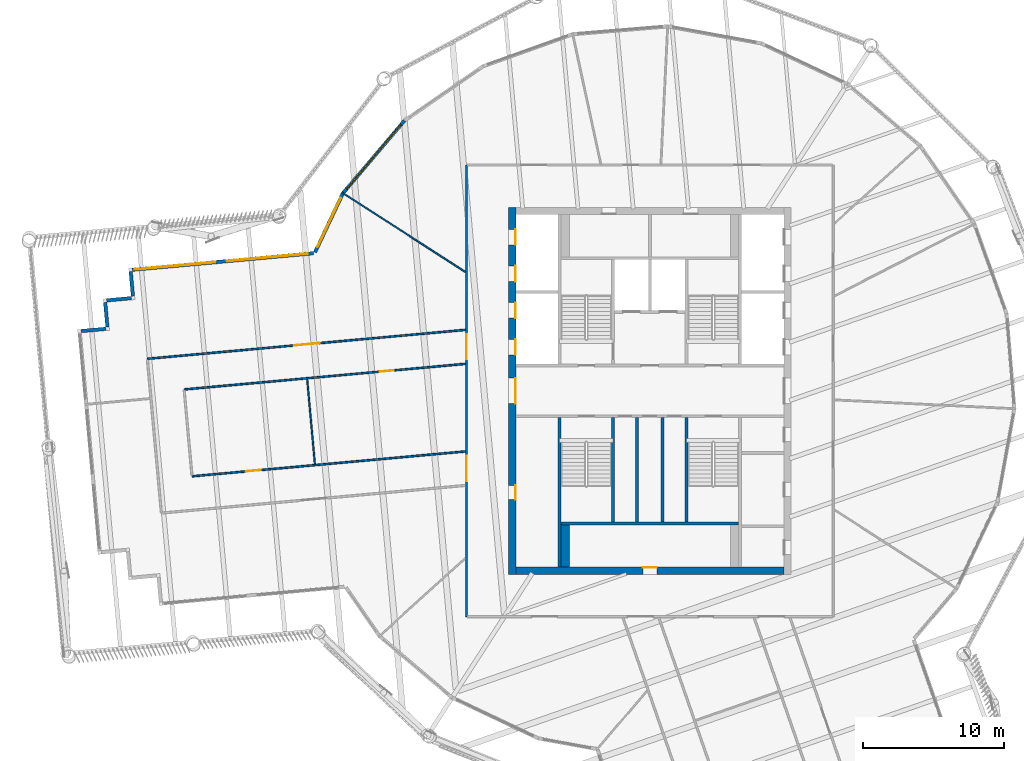
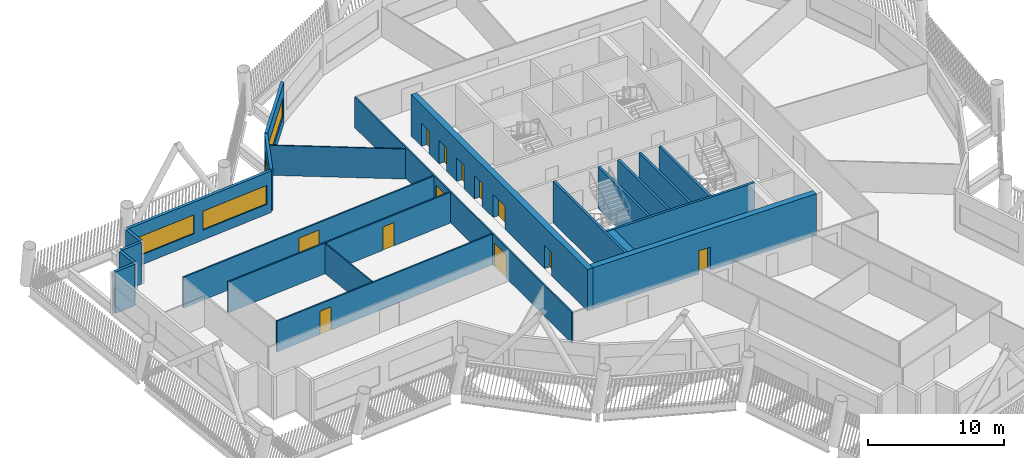
# One storey, part 4 of 23: 22 walls, 12 doors, 4 windows, 16 openings.
"""IFC4 building model written with IfcOpenShell, lengths in metres."""

from ifc_helpers import new_model, si_unit, direction, frame, frame_2d, origin, place, context, subcontext, project, spatial, rectangle, extrude, material, layer, layer_set, type_object, element, fill, save


model = new_model("IFC4")

# Units and contexts
model_context = context("Model", 3, precision=1e-05, world=origin(), true_north=direction((0.0, 1.0)))
body_context = subcontext(model_context, "Body", "Model", "MODEL_VIEW")
ifc_project = project(units=[si_unit("LENGTHUNIT", "METRE"), si_unit("AREAUNIT", "SQUARE_METRE"), si_unit("VOLUMEUNIT", "CUBIC_METRE"), si_unit("PLANEANGLEUNIT", "RADIAN"), si_unit("MASSUNIT", "GRAM", prefix="KILO")], contexts=[model_context])

# Site, building, storey
site_placement = place(None, origin())
site = spatial("IfcSite", under=ifc_project, at=site_placement, CompositionType="ELEMENT")
building_placement = place(site_placement, origin())
building = spatial("IfcBuilding", under=site, at=building_placement, Name="Tarsis Ring Headquarters", CompositionType="ELEMENT")
storey_placement = place(building_placement, frame((0.0, 0.0, 308.0)))
storey = spatial("IfcBuildingStorey", under=building, at=storey_placement, Name="L72", CompositionType="ELEMENT", Elevation=308.0)

# Walls
ifc_material_1 = material(Name="Blockwork", Category="masonry")
ifc_layer_1 = layer(ifc_material_1, 0.199951171875)
ifc_layer_set_1 = layer_set([ifc_layer_1], Name="Core blockwork wall 200")
wall_type_1 = type_object("IfcWallType", Name="Core blockwork wall 200", PredefinedType="PARTITIONING", material=ifc_layer_set_1)
for number, where, z_axis, x_axis, name in (
    (1, (-0.89990234375, -9.300048828125, 0.0), (0.0, 0.0, 1.0), (0.0, 1.0, 0.0), "Core partition SV1"),
    (2, (0.89990234375, -9.300048828125, 0.0), (0.0, 0.0, 1.0), (0.0, 1.0, 0.0), "Core partition SV2"),
):
    element("IfcWall", number, at=place(storey_placement, frame(where, z_axis=z_axis, x_axis=x_axis)), inside=storey, type_object=wall_type_1, Name=name, PredefinedType="PARTITIONING", context=body_context, shape_type="SweptSolid", body=[
        extrude(rectangle(XDim=7.400146484375, YDim=0.199951171875, at=frame_2d((3.7001953125, 0.0))), origin(), (0.0, 0.0, 1.0), 3.739990234375),
    ])

# Wall, openings, doors
ifc_material_2 = material(Name="Concrete C50/60", Category="concrete")
ifc_layer_2 = layer(ifc_material_2, 0.5)
ifc_layer_set_2 = layer_set([ifc_layer_2], Name="Core wall 500 C50/60")
wall_type_2 = type_object("IfcWallType", Name="Core wall 500 C50/60", PredefinedType="SHEAR", material=ifc_layer_set_2)
wall_1_placement = place(storey_placement, frame((-9.75, -13.0, 0.0), z_axis=(0.0, 0.0, 1.0), x_axis=(0.0, 1.0, 0.0)))
wall_1 = element("IfcWall", 3, at=wall_1_placement, inside=storey, type_object=wall_type_2, Name="Core wall OW", PredefinedType="SHEAR", context=body_context, shape_type="SweptSolid", body=[
    extrude(rectangle(XDim=26.0, YDim=0.5, at=frame_2d((13.0, 0.0))), origin(), (0.0, 0.0, 1.0), 3.739990234375),
])
opening_1_placement = place(wall_1_placement, frame((5.300048828125, 0.0, 0.0)))
opening_1 = element("IfcOpeningElement", 4, at=opening_1_placement, cuts=wall_1, Name="Opening L72-C01", PredefinedType="OPENING", context=body_context, shape_type="SweptSolid", body=[
    extrude(rectangle(XDim=1.0, YDim=2.10009765625, at=frame_2d((0.5, 1.050048828125))), frame((0.0, 0.260009765625, 0.0), z_axis=(0.0, -1.0, 0.0), x_axis=(1.0, 0.0, 0.0)), (0.0, 0.0, 1.0), 0.52001953125),
])
opening_2_placement = place(wall_1_placement, frame((12.10009765625, 0.0, 0.0)))
opening_2 = element("IfcOpeningElement", 5, at=opening_2_placement, cuts=wall_1, Name="Opening L72-C02", PredefinedType="OPENING", context=body_context, shape_type="SweptSolid", body=[
    extrude(rectangle(XDim=1.800048828125, YDim=2.10009765625, at=frame_2d((0.89990234375, 1.050048828125))), frame((0.0, 0.260009765625, 0.0), z_axis=(0.0, -1.0, 0.0), x_axis=(1.0, 0.0, 0.0)), (0.0, 0.0, 1.0), 0.52001953125),
])
opening_3_placement = place(wall_1_placement, frame((15.550048828125, 0.0, 0.0)))
opening_3 = element("IfcOpeningElement", 6, at=opening_3_placement, cuts=wall_1, Name="Opening LD-HR1", PredefinedType="OPENING", context=body_context, shape_type="SweptSolid", body=[
    extrude(rectangle(XDim=1.10009765625, YDim=2.10009765625, at=frame_2d((0.550048828125, 1.050048828125))), frame((0.0, 0.260009765625, 0.0), z_axis=(0.0, -1.0, 0.0), x_axis=(1.0, 0.0, 0.0)), (0.0, 0.0, 1.0), 0.52001953125),
])
opening_4_placement = place(wall_1_placement, frame((18.14990234375, 0.0, 0.0)))
opening_4 = element("IfcOpeningElement", 7, at=opening_4_placement, cuts=wall_1, Name="Opening LD-HR2", PredefinedType="OPENING", context=body_context, shape_type="SweptSolid", body=[
    extrude(rectangle(XDim=1.10009765625, YDim=2.10009765625, at=frame_2d((0.550048828125, 1.050048828125))), frame((0.0, 0.260009765625, 0.0), z_axis=(0.0, -1.0, 0.0), x_axis=(1.0, 0.0, 0.0)), (0.0, 0.0, 1.0), 0.52001953125),
])
opening_5_placement = place(wall_1_placement, frame((20.75, 0.0, 0.0)))
opening_5 = element("IfcOpeningElement", 8, at=opening_5_placement, cuts=wall_1, Name="Opening LD-HR3", PredefinedType="OPENING", context=body_context, shape_type="SweptSolid", body=[
    extrude(rectangle(XDim=1.10009765625, YDim=2.10009765625, at=frame_2d((0.550048828125, 1.050048828125))), frame((0.0, 0.260009765625, 0.0), z_axis=(0.0, -1.0, 0.0), x_axis=(1.0, 0.0, 0.0)), (0.0, 0.0, 1.0), 0.52001953125),
])
opening_6_placement = place(wall_1_placement, frame((23.35009765625, 0.0, 0.0)))
opening_6 = element("IfcOpeningElement", 9, at=opening_6_placement, cuts=wall_1, Name="Opening LD-HR4", PredefinedType="OPENING", context=body_context, shape_type="SweptSolid", body=[
    extrude(rectangle(XDim=1.10009765625, YDim=2.10009765625, at=frame_2d((0.550048828125, 1.050048828125))), frame((0.0, 0.260009765625, 0.0), z_axis=(0.0, -1.0, 0.0), x_axis=(1.0, 0.0, 0.0)), (0.0, 0.0, 1.0), 0.52001953125),
])
ifc_material_3 = material(Name="Steel S355", Category="steel")
door_type_1 = type_object("IfcDoorType", Name="Core entry door 1800x2100", OperationType="DOUBLE_DOOR_SINGLE_SWING", PredefinedType="DOOR", material=ifc_material_3)
door_1_placement = place(opening_2_placement, origin())
door_1 = element("IfcDoor", 10, at=door_1_placement, inside=storey, type_object=door_type_1, Name="Core entry door L72", OperationType="DOUBLE_DOOR_SINGLE_SWING", OverallHeight=2.10009765625, OverallWidth=1.800048828125, PredefinedType="DOOR", context=body_context, shape_type="SweptSolid", body=[
    extrude(rectangle(XDim=1.800048828125, YDim=2.10009765625, at=frame_2d((0.89990234375, 1.050048828125))), frame((0.0, -0.2001953125, 0.0), z_axis=(0.0, -1.0, 0.0), x_axis=(1.0, 0.0, 0.0)), (0.0, 0.0, 1.0), 0.050048828125),
])
fill(opening_2, door_1)
door_type_2 = type_object("IfcDoorType", Name="Core room door 1000x2100", OperationType="SINGLE_SWING_LEFT", PredefinedType="DOOR", material=ifc_material_3)
door_2_placement = place(opening_1_placement, origin())
door_2 = element("IfcDoor", 11, at=door_2_placement, inside=storey, type_object=door_type_2, Name="Core room door L72", OperationType="SINGLE_SWING_LEFT", OverallHeight=2.10009765625, OverallWidth=1.0, PredefinedType="DOOR", context=body_context, shape_type="SweptSolid", body=[
    extrude(rectangle(XDim=1.0, YDim=2.10009765625, at=frame_2d((0.5, 1.050048828125))), frame((0.0, -0.2001953125, 0.0), z_axis=(0.0, -1.0, 0.0), x_axis=(1.0, 0.0, 0.0)), (0.0, 0.0, 1.0), 0.050048828125),
])
fill(opening_1, door_2)
door_type_3 = type_object("IfcDoorType", Name="Landing door 1100x2100", OperationType="SLIDING_TO_LEFT", PredefinedType="DOOR", material=ifc_material_3)
door_3_placement = place(opening_3_placement, origin())
door_3 = element("IfcDoor", 12, at=door_3_placement, inside=storey, type_object=door_type_3, Name="Landing door HR1 L72", OperationType="SLIDING_TO_LEFT", OverallHeight=2.10009765625, OverallWidth=1.10009765625, PredefinedType="DOOR", context=body_context, shape_type="SweptSolid", body=[
    extrude(rectangle(XDim=1.10009765625, YDim=2.10009765625, at=frame_2d((0.550048828125, 1.050048828125))), frame((0.0, -0.2001953125, 0.0), z_axis=(0.0, -1.0, 0.0), x_axis=(1.0, 0.0, 0.0)), (0.0, 0.0, 1.0), 0.050048828125),
])
fill(opening_3, door_3)
door_4_placement = place(opening_4_placement, origin())
door_4 = element("IfcDoor", 13, at=door_4_placement, inside=storey, type_object=door_type_3, Name="Landing door HR2 L72", OperationType="SLIDING_TO_LEFT", OverallHeight=2.10009765625, OverallWidth=1.10009765625, PredefinedType="DOOR", context=body_context, shape_type="SweptSolid", body=[
    extrude(rectangle(XDim=1.10009765625, YDim=2.10009765625, at=frame_2d((0.550048828125, 1.050048828125))), frame((0.0, -0.2001953125, 0.0), z_axis=(0.0, -1.0, 0.0), x_axis=(1.0, 0.0, 0.0)), (0.0, 0.0, 1.0), 0.050048828125),
])
fill(opening_4, door_4)
door_5_placement = place(opening_5_placement, origin())
door_5 = element("IfcDoor", 14, at=door_5_placement, inside=storey, type_object=door_type_3, Name="Landing door HR3 L72", OperationType="SLIDING_TO_LEFT", OverallHeight=2.10009765625, OverallWidth=1.10009765625, PredefinedType="DOOR", context=body_context, shape_type="SweptSolid", body=[
    extrude(rectangle(XDim=1.10009765625, YDim=2.10009765625, at=frame_2d((0.550048828125, 1.050048828125))), frame((0.0, -0.2001953125, 0.0), z_axis=(0.0, -1.0, 0.0), x_axis=(1.0, 0.0, 0.0)), (0.0, 0.0, 1.0), 0.050048828125),
])
fill(opening_5, door_5)
door_6_placement = place(opening_6_placement, origin())
door_6 = element("IfcDoor", 15, at=door_6_placement, inside=storey, type_object=door_type_3, Name="Landing door HR4 L72", OperationType="SLIDING_TO_LEFT", OverallHeight=2.10009765625, OverallWidth=1.10009765625, PredefinedType="DOOR", context=body_context, shape_type="SweptSolid", body=[
    extrude(rectangle(XDim=1.10009765625, YDim=2.10009765625, at=frame_2d((0.550048828125, 1.050048828125))), frame((0.0, -0.2001953125, 0.0), z_axis=(0.0, -1.0, 0.0), x_axis=(1.0, 0.0, 0.0)), (0.0, 0.0, 1.0), 0.050048828125),
])
fill(opening_6, door_6)

# Wall, opening, door
wall_2_placement = place(storey_placement, frame((-9.5, -12.75, 0.0), z_axis=(0.0, 0.0, 1.0), x_axis=(1.0, 0.0, 0.0)))
wall_2 = element("IfcWall", 16, at=wall_2_placement, inside=storey, type_object=wall_type_2, Name="Core wall OS", PredefinedType="SHEAR", context=body_context, shape_type="SweptSolid", body=[
    extrude(rectangle(XDim=19.0, YDim=0.5, at=frame_2d((9.5, 0.0))), origin(), (0.0, 0.0, 1.0), 3.739990234375),
])
opening_7_placement = place(wall_2_placement, frame((9.0, 0.0, 0.0)))
opening_7 = element("IfcOpeningElement", 17, at=opening_7_placement, cuts=wall_2, Name="Opening L72-C17", PredefinedType="OPENING", context=body_context, shape_type="SweptSolid", body=[
    extrude(rectangle(XDim=1.0, YDim=2.10009765625, at=frame_2d((0.5, 1.050048828125))), frame((0.0, 0.260009765625, 0.0), z_axis=(0.0, -1.0, 0.0), x_axis=(1.0, 0.0, 0.0)), (0.0, 0.0, 1.0), 0.52001953125),
])
door_7_placement = place(opening_7_placement, origin())
door_7 = element("IfcDoor", 18, at=door_7_placement, inside=storey, type_object=door_type_2, Name="Core room door L72", OperationType="SINGLE_SWING_LEFT", OverallHeight=2.10009765625, OverallWidth=1.0, PredefinedType="DOOR", context=body_context, shape_type="SweptSolid", body=[
    extrude(rectangle(XDim=1.0, YDim=2.10009765625, at=frame_2d((0.5, 1.050048828125))), frame((0.0, 0.25, 0.0), z_axis=(0.0, -1.0, 0.0), x_axis=(1.0, 0.0, 0.0)), (0.0, 0.0, 1.0), 0.050048828125),
])
fill(opening_7, door_7)

# Walls
ifc_material_4 = material(Name="Gypsum board on steel studs", Category="steel")
ifc_layer_3 = layer(ifc_material_4, 0.10009765625)
ifc_layer_set_3 = layer_set([ifc_layer_3], Name="FL partition 100 unrated")
wall_type_3 = type_object("IfcWallType", Name="FL partition 100 unrated", PredefinedType="PARTITIONING", material=ifc_layer_set_3)
wall_3_placement = place(storey_placement, frame((-21.810791015625, 14.05615234375, 0.0), z_axis=(0.0, 0.0, 1.0), x_axis=(0.84056746588, -0.541706872122, 0.0)))
element("IfcWall", 19, at=wall_3_placement, inside=storey, type_object=wall_type_3, Name="Partition PW3", PredefinedType="PARTITIONING", context=body_context, shape_type="SweptSolid", body=[
    extrude(rectangle(XDim=10.382080078125, YDim=0.10009765625, at=frame_2d((5.19091796875, 0.0))), origin(), (0.0, 0.0, 1.0), 2.699951171875),
])
wall_4_placement = place(storey_placement, frame((-24.284423828125, 0.822509765625, 0.0), z_axis=(0.0, 0.0, 1.0), x_axis=(0.090623213441, -0.995885251013, 0.0)))
element("IfcWall", 20, at=wall_4_placement, inside=storey, type_object=wall_type_3, Name="Partition PW3", PredefinedType="PARTITIONING", context=body_context, shape_type="SweptSolid", body=[
    extrude(rectangle(XDim=6.0400390625, YDim=0.10009765625, at=frame_2d((3.02001953125, 0.0))), origin(), (0.0, 0.0, 1.0), 2.699951171875),
])

# Wall, openings, doors
ifc_layer_4 = layer(ifc_material_4, 0.125)
ifc_layer_set_4 = layer_set([ifc_layer_4], Name="FL partition 125 EI 60 H2770")
wall_type_4 = type_object("IfcWallType", Name="FL partition 125 EI 60 H2770", PredefinedType="PARTITIONING", material=ifc_layer_set_4)
wall_5_placement = place(storey_placement, frame((-13.0, -16.0, 0.0), z_axis=(0.0, 0.0, 1.0), x_axis=(0.0, 1.0, 0.0)))
wall_5 = element("IfcWall", 21, at=wall_5_placement, inside=storey, type_object=wall_type_4, Name="Partition PW1", PredefinedType="PARTITIONING", context=body_context, shape_type="SweptSolid", body=[
    extrude(rectangle(XDim=32.0, YDim=0.125, at=frame_2d((16.0, 0.0))), origin(), (0.0, 0.0, 1.0), 2.77001953125),
])
opening_8_placement = place(wall_5_placement, frame((9.609130859375, 0.0, 0.0)))
opening_8 = element("IfcOpeningElement", 22, at=opening_8_placement, cuts=wall_5, Name="Opening D72.17", PredefinedType="OPENING", context=body_context, shape_type="SweptSolid", body=[
    extrude(rectangle(XDim=1.800048828125, YDim=2.10009765625, at=frame_2d((0.89990234375, 1.050048828125))), frame((0.0, 0.072509765625, 0.0), z_axis=(0.0, -1.0, 0.0), x_axis=(1.0, 0.0, 0.0)), (0.0, 0.0, 1.0), 0.14501953125),
])
opening_9_placement = place(wall_5_placement, frame((18.224609375, 0.0, 0.0)))
opening_9 = element("IfcOpeningElement", 23, at=opening_9_placement, cuts=wall_5, Name="Opening D72.18", PredefinedType="OPENING", context=body_context, shape_type="SweptSolid", body=[
    extrude(rectangle(XDim=1.800048828125, YDim=2.10009765625, at=frame_2d((0.89990234375, 1.050048828125))), frame((0.0, 0.072509765625, 0.0), z_axis=(0.0, -1.0, 0.0), x_axis=(1.0, 0.0, 0.0)), (0.0, 0.0, 1.0), 0.14501953125),
])
ifc_material_5 = material(Name="Fire-rated timber door leaf in steel frame", Category="steel")
door_type_4 = type_object("IfcDoorType", Name="FL door FD60-1800", OperationType="DOUBLE_DOOR_SINGLE_SWING", PredefinedType="DOOR", material=ifc_material_5)
door_8_placement = place(opening_8_placement, origin())
door_8 = element("IfcDoor", 24, at=door_8_placement, inside=storey, type_object=door_type_4, Name="Door D72.17", OperationType="DOUBLE_DOOR_SINGLE_SWING", OverallHeight=2.10009765625, OverallWidth=1.800048828125, PredefinedType="DOOR", context=body_context, shape_type="SweptSolid", body=[
    extrude(rectangle(XDim=1.800048828125, YDim=2.10009765625, at=frame_2d((0.89990234375, 1.050048828125))), frame((0.0, 0.02490234375, 0.0), z_axis=(0.0, -1.0, 0.0), x_axis=(1.0, 0.0, 0.0)), (0.0, 0.0, 1.0), 0.050048828125),
])
fill(opening_8, door_8)
door_9_placement = place(opening_9_placement, origin())
door_9 = element("IfcDoor", 25, at=door_9_placement, inside=storey, type_object=door_type_4, Name="Door D72.18", OperationType="DOUBLE_DOOR_SINGLE_SWING", OverallHeight=2.10009765625, OverallWidth=1.800048828125, PredefinedType="DOOR", context=body_context, shape_type="SweptSolid", body=[
    extrude(rectangle(XDim=1.800048828125, YDim=2.10009765625, at=frame_2d((0.89990234375, 1.050048828125))), frame((0.0, 0.02490234375, 0.0), z_axis=(0.0, -1.0, 0.0), x_axis=(1.0, 0.0, 0.0)), (0.0, 0.0, 1.0), 0.050048828125),
])
fill(opening_9, door_9)

# Wall, opening, door
wall_6_placement = place(storey_placement, frame((-35.612548828125, 2.271728515625, 0.0), z_axis=(0.0, 0.0, 1.0), x_axis=(0.99588462669, 0.090630074056, 0.0)))
wall_6 = element("IfcWall", 26, at=wall_6_placement, inside=storey, type_object=wall_type_4, Name="Partition PW1", PredefinedType="PARTITIONING", context=body_context, shape_type="SweptSolid", body=[
    extrude(rectangle(XDim=22.63623046875, YDim=0.125, at=frame_2d((11.318115234375, 0.0))), origin(), (0.0, 0.0, 1.0), 2.77001953125),
])
opening_10_placement = place(wall_6_placement, frame((10.452880859375, 0.0, 0.0)))
opening_10 = element("IfcOpeningElement", 27, at=opening_10_placement, cuts=wall_6, Name="Opening D72.02", PredefinedType="OPENING", context=body_context, shape_type="SweptSolid", body=[
    extrude(rectangle(XDim=1.800048828125, YDim=2.10009765625, at=frame_2d((0.89990234375, 1.050048828125))), frame((0.0, 0.072509765625, 0.0), z_axis=(0.0, -1.0, 0.0), x_axis=(1.0, 0.0, 0.0)), (0.0, 0.0, 1.0), 0.14501953125),
])
door_10_placement = place(opening_10_placement, origin())
door_10 = element("IfcDoor", 28, at=door_10_placement, inside=storey, type_object=door_type_4, Name="Door D72.02", OperationType="DOUBLE_DOOR_SINGLE_SWING", OverallHeight=2.10009765625, OverallWidth=1.800048828125, PredefinedType="DOOR", context=body_context, shape_type="SweptSolid", body=[
    extrude(rectangle(XDim=1.800048828125, YDim=2.10009765625, at=frame_2d((0.89990234375, 1.050048828125))), frame((0.0, 0.02490234375, 0.0), z_axis=(0.0, -1.0, 0.0), x_axis=(1.0, 0.0, 0.0)), (0.0, 0.0, 1.0), 0.050048828125),
])
fill(opening_10, door_10)

wall_7_placement = place(storey_placement, frame((-33.0048828125, 0.09912109375, 0.0), z_axis=(0.0, 0.0, 1.0), x_axis=(0.995884604623, 0.090630316538, 0.0)))
wall_7 = element("IfcWall", 29, at=wall_7_placement, inside=storey, type_object=wall_type_4, Name="Partition PW1", PredefinedType="PARTITIONING", context=body_context, shape_type="SweptSolid", body=[
    extrude(rectangle(XDim=20.017578125, YDim=0.125, at=frame_2d((10.0087890625, 0.0))), origin(), (0.0, 0.0, 1.0), 2.77001953125),
])
opening_11_placement = place(wall_7_placement, frame((13.91943359375, 0.0, 0.0)))
opening_11 = element("IfcOpeningElement", 30, at=opening_11_placement, cuts=wall_7, Name="Opening D72.12", PredefinedType="OPENING", context=body_context, shape_type="SweptSolid", body=[
    extrude(rectangle(XDim=1.0, YDim=2.10009765625, at=frame_2d((0.5, 1.050048828125))), frame((0.0, 0.072509765625, 0.0), z_axis=(0.0, -1.0, 0.0), x_axis=(1.0, 0.0, 0.0)), (0.0, 0.0, 1.0), 0.14501953125),
])
door_type_5 = type_object("IfcDoorType", Name="FL door FD60-1000", OperationType="NOTDEFINED", PredefinedType="DOOR", material=ifc_material_5)
door_11_placement = place(opening_11_placement, origin())
door_11 = element("IfcDoor", 31, at=door_11_placement, inside=storey, type_object=door_type_5, Name="Door D72.12", OperationType="SINGLE_SWING_RIGHT", OverallHeight=2.10009765625, OverallWidth=1.0, PredefinedType="DOOR", context=body_context, shape_type="SweptSolid", body=[
    extrude(rectangle(XDim=1.0, YDim=2.10009765625, at=frame_2d((0.5, 1.050048828125))), frame((0.0, 0.02490234375, 0.0), z_axis=(0.0, -1.0, 0.0), x_axis=(1.0, 0.0, 0.0)), (0.0, 0.0, 1.0), 0.050048828125),
])
fill(opening_11, door_11)

wall_8_placement = place(storey_placement, frame((-32.444580078125, -6.055419921875, 0.0), z_axis=(0.0, 0.0, 1.0), x_axis=(0.995884767605, 0.0906285256, 0.0)))
wall_8 = element("IfcWall", 32, at=wall_8_placement, inside=storey, type_object=wall_type_4, Name="Partition PW1", PredefinedType="PARTITIONING", context=body_context, shape_type="SweptSolid", body=[
    extrude(rectangle(XDim=19.455078125, YDim=0.125, at=frame_2d((9.7275390625, 0.0))), origin(), (0.0, 0.0, 1.0), 2.77001953125),
])
opening_12_placement = place(wall_8_placement, frame((3.875732421875, 0.0, 0.0)))
opening_12 = element("IfcOpeningElement", 33, at=opening_12_placement, cuts=wall_8, Name="Opening D72.13", PredefinedType="OPENING", context=body_context, shape_type="SweptSolid", body=[
    extrude(rectangle(XDim=1.0, YDim=2.10009765625, at=frame_2d((0.5, 1.050048828125))), frame((0.0, 0.072509765625, 0.0), z_axis=(0.0, -1.0, 0.0), x_axis=(1.0, 0.0, 0.0)), (0.0, 0.0, 1.0), 0.14501953125),
])
door_12_placement = place(opening_12_placement, origin())
door_12 = element("IfcDoor", 34, at=door_12_placement, inside=storey, type_object=door_type_5, Name="Door D72.13", OperationType="SINGLE_SWING_LEFT", OverallHeight=2.10009765625, OverallWidth=1.0, PredefinedType="DOOR", context=body_context, shape_type="SweptSolid", body=[
    extrude(rectangle(XDim=1.0, YDim=2.10009765625, at=frame_2d((0.5, 1.050048828125))), frame((0.0, 0.02490234375, 0.0), z_axis=(0.0, -1.0, 0.0), x_axis=(1.0, 0.0, 0.0)), (0.0, 0.0, 1.0), 0.050048828125),
])
fill(opening_12, door_12)

# Wall, opening, window
ifc_material_6 = material(Name="Terracotta clad insulated panel wall", Category="masonry")
ifc_layer_5 = layer(ifc_material_6, 0.25)
ifc_layer_set_5 = layer_set([ifc_layer_5], Name="Facade wall terracotta panel 250")
wall_type_5 = type_object("IfcWallType", Name="Facade wall terracotta panel 250", PredefinedType="STANDARD", material=ifc_layer_set_5)
wall_9_placement = place(storey_placement, frame((-17.390625, 19.155029296875, 0.0), z_axis=(0.0, 0.0, 1.0), x_axis=(-0.646777124285, -0.762679061927, 0.0)))
wall_9 = element("IfcWall", 35, at=wall_9_placement, inside=storey, type_object=wall_type_5, Name="External wall L72-29", PredefinedType="STANDARD", context=body_context, shape_type="SweptSolid", body=[
    extrude(rectangle(XDim=6.7216796875, YDim=0.25, at=frame_2d((3.36083984375, 0.0))), origin(), (0.0, 0.0, 1.0), 3.739990234375),
])
opening_13_placement = place(wall_9_placement, frame((0.3857421875, 0.0, 0.89990234375)))
opening_13 = element("IfcOpeningElement", 36, at=opening_13_placement, cuts=wall_9, Name="Opening WN07", PredefinedType="OPENING", context=body_context, shape_type="SweptSolid", body=[
    extrude(rectangle(XDim=5.949951171875, YDim=1.699951171875, at=frame_2d((2.97509765625, 0.85009765625))), frame((0.0, 0.135009765625, 0.0), z_axis=(0.0, -1.0, 0.0), x_axis=(1.0, 0.0, 0.0)), (0.0, 0.0, 1.0), 0.27001953125),
])
ifc_material_7 = material(Name="Aluminium framed double glazing", Category="aluminium")
window_type_1 = type_object("IfcWindowType", Name="Facade window 5950 x 1700", PartitioningType="SINGLE_PANEL", PredefinedType="WINDOW", material=ifc_material_7)
window_1_placement = place(opening_13_placement, origin())
window_1 = element("IfcWindow", 37, at=window_1_placement, inside=storey, type_object=window_type_1, Name="Window L72-29.1", OverallHeight=1.699951171875, OverallWidth=5.949951171875, PartitioningType="SINGLE_PANEL", PredefinedType="WINDOW", context=body_context, shape_type="SweptSolid", body=[
    extrude(rectangle(XDim=5.949951171875, YDim=1.699951171875, at=frame_2d((2.97509765625, 0.85009765625))), frame((0.0, 0.030029296875, 0.0), z_axis=(0.0, -1.0, 0.0), x_axis=(1.0, 0.0, 0.0)), (0.0, 0.0, 1.0), 0.06005859375),
])
fill(opening_13, window_1)

wall_10_placement = place(storey_placement, frame((-21.755859375, 14.001220703125, 0.0), z_axis=(0.0, 0.0, 1.0), x_axis=(-0.427352117187, -0.904085265855, 0.0)))
wall_10 = element("IfcWall", 38, at=wall_10_placement, inside=storey, type_object=wall_type_5, Name="External wall L72-30", PredefinedType="STANDARD", context=body_context, shape_type="SweptSolid", body=[
    extrude(rectangle(XDim=4.61767578125, YDim=0.25, at=frame_2d((2.308837890625, 0.0))), origin(), (0.0, 0.0, 1.0), 3.739990234375),
])
opening_14_placement = place(wall_10_placement, frame((0.367431640625, 0.0, 0.89990234375)))
opening_14 = element("IfcOpeningElement", 39, at=opening_14_placement, cuts=wall_10, Name="Opening WN02", PredefinedType="OPENING", context=body_context, shape_type="SweptSolid", body=[
    extrude(rectangle(XDim=3.85009765625, YDim=1.699951171875, at=frame_2d((1.925048828125, 0.85009765625))), frame((0.0, 0.135009765625, 0.0), z_axis=(0.0, -1.0, 0.0), x_axis=(1.0, 0.0, 0.0)), (0.0, 0.0, 1.0), 0.27001953125),
])
window_type_2 = type_object("IfcWindowType", Name="Facade window 3850 x 1700", PartitioningType="SINGLE_PANEL", PredefinedType="WINDOW", material=ifc_material_7)
window_2_placement = place(opening_14_placement, origin())
window_2 = element("IfcWindow", 40, at=window_2_placement, inside=storey, type_object=window_type_2, Name="Window L72-30.1", OverallHeight=1.699951171875, OverallWidth=3.85009765625, PartitioningType="SINGLE_PANEL", PredefinedType="WINDOW", context=body_context, shape_type="SweptSolid", body=[
    extrude(rectangle(XDim=3.85009765625, YDim=1.699951171875, at=frame_2d((1.925048828125, 0.85009765625))), frame((0.0, 0.030029296875, 0.0), z_axis=(0.0, -1.0, 0.0), x_axis=(1.0, 0.0, 0.0)), (0.0, 0.0, 1.0), 0.06005859375),
])
fill(opening_14, window_2)

# Wall, openings, windows
wall_11_placement = place(storey_placement, frame((-23.830810546875, 9.75537109375, 0.0), z_axis=(0.0, 0.0, 1.0), x_axis=(-0.995883428731, -0.09064323681, 0.0)))
wall_11 = element("IfcWall", 41, at=wall_11_placement, inside=storey, type_object=wall_type_5, Name="External wall L72-31", PredefinedType="STANDARD", context=body_context, shape_type="SweptSolid", body=[
    extrude(rectangle(XDim=12.901611328125, YDim=0.25, at=frame_2d((6.45068359375, 0.0))), origin(), (0.0, 0.0, 1.0), 3.739990234375),
])
opening_15_placement = place(wall_11_placement, frame((0.412841796875, 0.0, 0.89990234375)))
opening_15 = element("IfcOpeningElement", 42, at=opening_15_placement, cuts=wall_11, Name="Opening WN06", PredefinedType="OPENING", context=body_context, shape_type="SweptSolid", body=[
    extrude(rectangle(XDim=5.75, YDim=1.699951171875, at=frame_2d((2.875, 0.85009765625))), frame((0.0, 0.135009765625, 0.0), z_axis=(0.0, -1.0, 0.0), x_axis=(1.0, 0.0, 0.0)), (0.0, 0.0, 1.0), 0.27001953125),
])
opening_16_placement = place(wall_11_placement, frame((6.988525390625, 0.0, 0.89990234375)))
opening_16 = element("IfcOpeningElement", 43, at=opening_16_placement, cuts=wall_11, Name="Opening WN06", PredefinedType="OPENING", context=body_context, shape_type="SweptSolid", body=[
    extrude(rectangle(XDim=5.75, YDim=1.699951171875, at=frame_2d((2.875, 0.85009765625))), frame((0.0, 0.135009765625, 0.0), z_axis=(0.0, -1.0, 0.0), x_axis=(1.0, 0.0, 0.0)), (0.0, 0.0, 1.0), 0.27001953125),
])
window_type_3 = type_object("IfcWindowType", Name="Facade window 5750 x 1700", PartitioningType="SINGLE_PANEL", PredefinedType="WINDOW", material=ifc_material_7)
window_3_placement = place(opening_15_placement, origin())
window_3 = element("IfcWindow", 44, at=window_3_placement, inside=storey, type_object=window_type_3, Name="Window L72-31.1", OverallHeight=1.699951171875, OverallWidth=5.75, PartitioningType="SINGLE_PANEL", PredefinedType="WINDOW", context=body_context, shape_type="SweptSolid", body=[
    extrude(rectangle(XDim=5.75, YDim=1.699951171875, at=frame_2d((2.875, 0.85009765625))), frame((0.0, 0.030029296875, 0.0), z_axis=(0.0, -1.0, 0.0), x_axis=(1.0, 0.0, 0.0)), (0.0, 0.0, 1.0), 0.06005859375),
])
fill(opening_15, window_3)
window_4_placement = place(opening_16_placement, origin())
window_4 = element("IfcWindow", 45, at=window_4_placement, inside=storey, type_object=window_type_3, Name="Window L72-31.2", OverallHeight=1.699951171875, OverallWidth=5.75, PartitioningType="SINGLE_PANEL", PredefinedType="WINDOW", context=body_context, shape_type="SweptSolid", body=[
    extrude(rectangle(XDim=5.75, YDim=1.699951171875, at=frame_2d((2.875, 0.85009765625))), frame((0.0, 0.030029296875, 0.0), z_axis=(0.0, -1.0, 0.0), x_axis=(1.0, 0.0, 0.0)), (0.0, 0.0, 1.0), 0.06005859375),
])
fill(opening_16, window_4)

# Walls
wall_12_placement = place(storey_placement, frame((-36.792236328125, 8.4501953125, 0.0), z_axis=(0.0, 0.0, 1.0), x_axis=(0.090548325686, -0.995892062784, 0.0)))
element("IfcWall", 46, at=wall_12_placement, inside=storey, type_object=wall_type_5, Name="External wall L72-32", PredefinedType="STANDARD", context=body_context, shape_type="SweptSolid", body=[
    extrude(rectangle(XDim=1.749755859375, YDim=0.25, at=frame_2d((0.875, 0.0))), origin(), (0.0, 0.0, 1.0), 3.739990234375),
])
for number, where, z_axis, x_axis, name in (
    (47, (-36.746826171875, 6.571533203125, 0.0), (0.0, 0.0, 1.0), (-0.995893206468, -0.090535746043, 0.0), "External wall L72-33"),
    (48, (-38.602783203125, 6.277099609375, 0.0), (0.0, 0.0, 1.0), (0.090686698902, -0.995879471945, 0.0), "External wall L72-34"),
):
    element("IfcWall", number, at=place(storey_placement, frame(where, z_axis=z_axis, x_axis=x_axis)), inside=storey, type_object=wall_type_5, Name=name, PredefinedType="STANDARD", context=body_context, shape_type="SweptSolid", body=[
        extrude(rectangle(XDim=1.75, YDim=0.25, at=frame_2d((0.875, 0.0))), origin(), (0.0, 0.0, 1.0), 3.739990234375),
    ])
wall_13_placement = place(storey_placement, frame((-38.557373046875, 4.3984375, 0.0), z_axis=(0.0, 0.0, 1.0), x_axis=(-0.995892062784, -0.090548325686, 0.0)))
element("IfcWall", 49, at=wall_13_placement, inside=storey, type_object=wall_type_5, Name="External wall L72-35", PredefinedType="STANDARD", context=body_context, shape_type="SweptSolid", body=[
    extrude(rectangle(XDim=1.749755859375, YDim=0.25, at=frame_2d((0.875, 0.0))), origin(), (0.0, 0.0, 1.0), 3.739990234375),
])
ifc_material_8 = material(Name="Concrete C32/40", Category="concrete")
ifc_layer_6 = layer(ifc_material_8, 0.60009765625)
ifc_layer_set_6 = layer_set([ifc_layer_6], Name="Shaft end wall 600 C32/40")
wall_type_6 = type_object("IfcWallType", Name="Shaft end wall 600 C32/40", PredefinedType="SOLIDWALL", material=ifc_layer_set_6)
wall_14_placement = place(storey_placement, frame((-6.0, -12.5, 0.0), z_axis=(0.0, 0.0, 1.0), x_axis=(0.0, 1.0, 0.0)))
element("IfcWall", 50, at=wall_14_placement, inside=storey, type_object=wall_type_6, Name="Core shaft wall SNE1", PredefinedType="SOLIDWALL", context=body_context, shape_type="SweptSolid", body=[
    extrude(rectangle(XDim=3.0, YDim=0.60009765625, at=frame_2d((1.5, 0.0))), origin(), (0.0, 0.0, 1.0), 3.739990234375),
])
ifc_layer_7 = layer(ifc_material_8, 0.199951171875)
ifc_layer_set_7 = layer_set([ifc_layer_7], Name="Shaft wall 200 C32/40")
wall_type_7 = type_object("IfcWallType", Name="Shaft wall 200 C32/40", PredefinedType="SOLIDWALL", material=ifc_layer_set_7)
wall_15_placement = place(storey_placement, frame((-6.39990234375, -12.5, 0.0), z_axis=(0.0, 0.0, 1.0), x_axis=(0.0, 1.0, 0.0)))
element("IfcWall", 51, at=wall_15_placement, inside=storey, type_object=wall_type_7, Name="Core shaft wall WB1", PredefinedType="SOLIDWALL", context=body_context, shape_type="SweptSolid", body=[
    extrude(rectangle(XDim=10.60009765625, YDim=0.199951171875, at=frame_2d((5.300048828125, 0.0))), origin(), (0.0, 0.0, 1.0), 3.739990234375),
])
wall_16_placement = place(storey_placement, frame((-6.300048828125, -9.39990234375, 0.0), z_axis=(0.0, 0.0, 1.0), x_axis=(1.0, 0.0, 0.0)))
element("IfcWall", 52, at=wall_16_placement, inside=storey, type_object=wall_type_7, Name="Core shaft wall SB", PredefinedType="SOLIDWALL", context=body_context, shape_type="SweptSolid", body=[
    extrude(rectangle(XDim=12.60009765625, YDim=0.199951171875, at=frame_2d((6.300048828125, 0.0))), origin(), (0.0, 0.0, 1.0), 3.739990234375),
])
for number, where, z_axis, x_axis, name in (
    (53, (-2.60009765625, -9.300048828125, 0.0), (0.0, 0.0, 1.0), (0.0, 1.0, 0.0), "Core shaft wall SW3"),
    (54, (2.60009765625, -9.300048828125, 0.0), (0.0, 0.0, 1.0), (0.0, 1.0, 0.0), "Core shaft wall SW4"),
):
    element("IfcWall", number, at=place(storey_placement, frame(where, z_axis=z_axis, x_axis=x_axis)), inside=storey, type_object=wall_type_7, Name=name, PredefinedType="SOLIDWALL", context=body_context, shape_type="SweptSolid", body=[
        extrude(rectangle(XDim=7.400146484375, YDim=0.199951171875, at=frame_2d((3.7001953125, 0.0))), origin(), (0.0, 0.0, 1.0), 3.739990234375),
    ])

save(model, "model.ifc")
